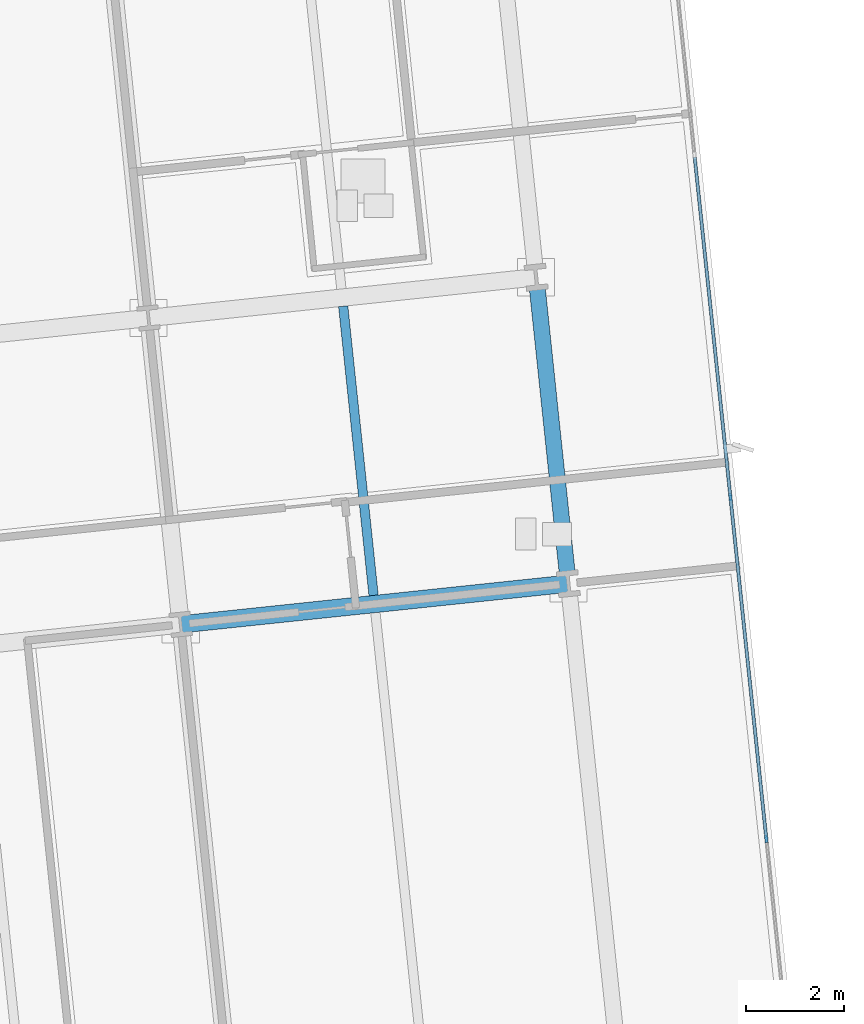
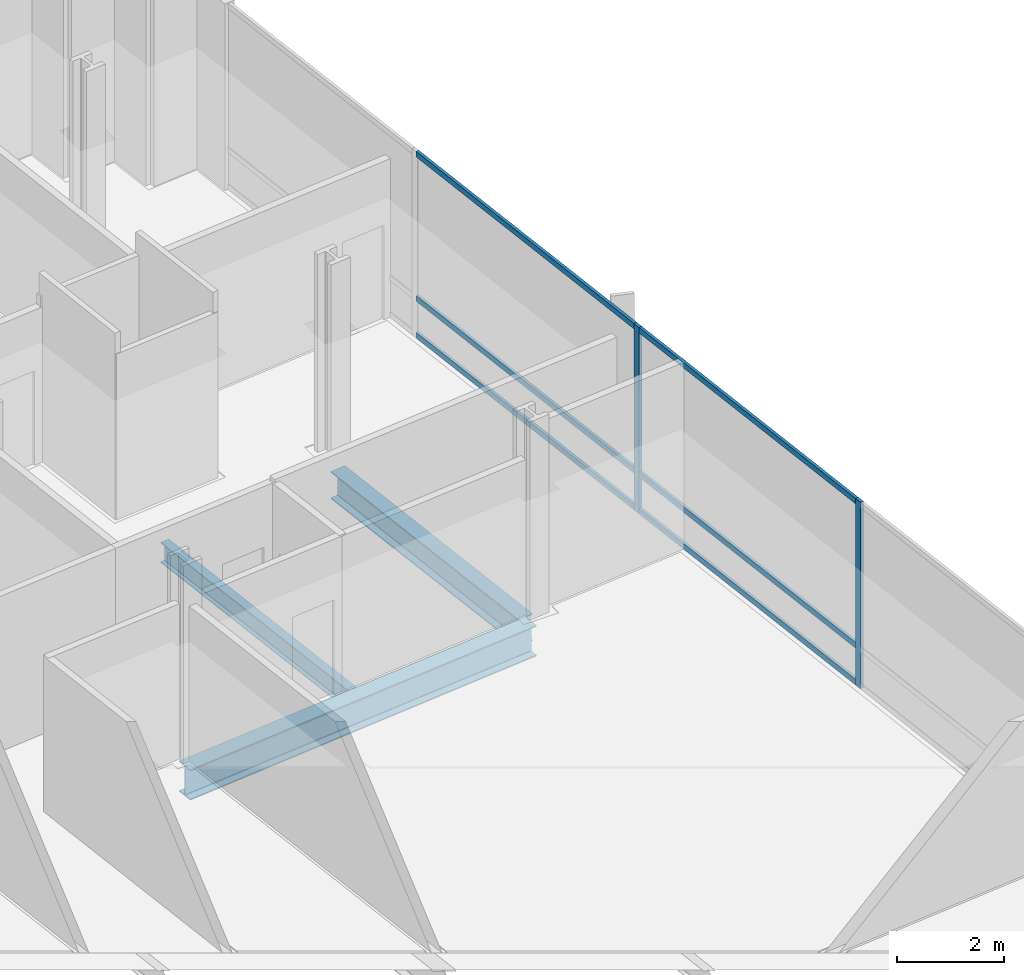
# One storey, part 8 of 20: 8 members, 3 beams, 1 element without a shape of its own.
"""IFC4 building model written with IfcOpenShell, lengths in metres."""

from ifc_helpers import new_model, si_unit, direction, frame, origin, origin_2d, place, context, subcontext, project, spatial, rectangle, i_section, extrude, material, material_profile, profile_set, type_object, element, aggregate, save


model = new_model("IFC4")

# Units and contexts
model_context = context("Model", 3, precision=1e-05, world=origin(), true_north=direction((0.0, 1.0)))
body_context = subcontext(model_context, "Body", "Model", "MODEL_VIEW")
ifc_project = project(units=[si_unit("LENGTHUNIT", "METRE"), si_unit("AREAUNIT", "SQUARE_METRE"), si_unit("VOLUMEUNIT", "CUBIC_METRE"), si_unit("PLANEANGLEUNIT", "RADIAN"), si_unit("MASSUNIT", "GRAM", prefix="KILO")], contexts=[model_context])

# Site, building, storey
site_placement = place(None, origin())
site = spatial("IfcSite", under=ifc_project, at=site_placement, CompositionType="ELEMENT")
building_placement = place(site_placement, origin())
building = spatial("IfcBuilding", under=site, at=building_placement, Name="Solmavex Isthmus Hotel", CompositionType="ELEMENT")
storey_placement = place(building_placement, frame((0.0, 0.0, 97.35009765625)))
storey = spatial("IfcBuildingStorey", under=building, at=storey_placement, Name="L26", CompositionType="ELEMENT", Elevation=97.35009765625)

# Beams
ifc_material_1 = material(Name="Steel ASTM A992 Grade 50", Category="steel")
ifc_material_profile_1 = material_profile(ifc_material_1, i_section(OverallWidth=0.354736328125, OverallDepth=0.695556640625, WebThickness=0.015380859375, FlangeThickness=0.02490234375, FilletRadius=0.017822265625, at=origin_2d()), Name="W27X146")
ifc_profile_set_1 = profile_set([ifc_material_profile_1], Name="Steel ASTM A992 Grade 50")
beam_type_1 = type_object("IfcBeamType", Name="BM-BG-W27X146", PredefinedType="BEAM", material=ifc_profile_set_1)
beam_1_placement = place(storey_placement, frame((21.2197265625, 5.658447265625, -0.60791015625), z_axis=(0.994523402738, 0.104514120609, 0.0), x_axis=(-0.104514120609, 0.994523402738, 0.0)))
element("IfcBeam", 1, at=beam_1_placement, inside=storey, type_object=beam_type_1, Name="Floor Girder L26-UG12", PredefinedType="BEAM", context=body_context, shape_type="SweptSolid", body=[
    extrude(i_section(OverallWidth=0.354736328125, OverallDepth=0.695556640625, WebThickness=0.015380859375, FlangeThickness=0.02490234375, FilletRadius=0.017822265625, at=origin_2d()), origin(), (0.0, 0.0, 1.0), 7.968017578125),
])
ifc_material_profile_2 = material_profile(ifc_material_1, i_section(OverallWidth=0.1904296875, OverallDepth=0.456787109375, WebThickness=0.009033203125, FlangeThickness=0.014404296875, FilletRadius=0.0126953125, at=origin_2d()), Name="W18X50")
ifc_profile_set_2 = profile_set([ifc_material_profile_2], Name="Steel ASTM A992 Grade 50")
beam_type_2 = type_object("IfcBeamType", Name="BM-BJ-W18X50", PredefinedType="JOIST", material=ifc_profile_set_2)
beam_2_placement = place(storey_placement, frame((25.163330078125, 6.251220703125, -0.488525390625), z_axis=(-0.104505160346, 0.994524344328, 0.0), x_axis=(-0.994524344328, -0.104505160346, 0.0)))
element("IfcBeam", 2, at=beam_2_placement, inside=storey, type_object=beam_type_2, Name="Secondary Floor Joist L26-J20", PredefinedType="JOIST", context=body_context, shape_type="SweptSolid", body=[
    extrude(i_section(OverallWidth=0.1904296875, OverallDepth=0.456787109375, WebThickness=0.009033203125, FlangeThickness=0.014404296875, FilletRadius=0.0126953125, at=origin_2d()), origin(), (0.0, 0.0, 1.0), 5.943115234375),
])
ifc_material_profile_3 = material_profile(ifc_material_1, i_section(OverallWidth=0.326416015625, OverallDepth=0.621826171875, WebThickness=0.015380859375, FlangeThickness=0.0244140625, FilletRadius=0.01513671875, at=origin_2d()), Name="W24X131")
ifc_profile_set_3 = profile_set([ifc_material_profile_3], Name="Steel ASTM A992 Grade 50")
beam_type_3 = type_object("IfcBeamType", Name="BM-SP-W24X131", PredefinedType="SPANDREL", material=ifc_profile_set_3)
beam_3_placement = place(storey_placement, frame((29.12548828125, 6.667724609375, -0.571044921875), z_axis=(-0.104505160346, 0.994524344328, 0.0), x_axis=(-0.994524344328, -0.104505160346, 0.0)))
element("IfcBeam", 3, at=beam_3_placement, inside=storey, type_object=beam_type_3, Name="Floor Beam L26-VG47", PredefinedType="SPANDREL", context=body_context, shape_type="SweptSolid", body=[
    extrude(i_section(OverallWidth=0.326416015625, OverallDepth=0.621826171875, WebThickness=0.015380859375, FlangeThickness=0.0244140625, FilletRadius=0.01513671875, at=origin_2d()), origin(), (0.0, 0.0, 1.0), 5.943115234375),
])

# Curtain wall, members
ifc_material_2 = material(Name="Aluminium alloy 6063-T6", Category="aluminium")
curtain_wall_type = type_object("IfcCurtainWallType", Name="CW-SYS-05", PredefinedType="NOTDEFINED", material=ifc_material_2)
curtain_wall_placement = place(storey_placement, origin())
curtain_wall = element("IfcCurtainWall", 4, at=curtain_wall_placement, inside=storey, type_object=curtain_wall_type, Name="Stick Curtain Wall CWL-L26-E1", PredefinedType="NOTDEFINED")
ifc_material_profile_4 = material_profile(ifc_material_2, rectangle(XDim=0.06494140625, YDim=0.159912109375, at=origin_2d()), Name="CWM-65X160")
ifc_profile_set_4 = profile_set([ifc_material_profile_4], Name="Aluminium alloy 6063-T6")
member_type_1 = type_object("IfcMemberType", Name="CW-SYS-05-MUL", PredefinedType="MULLION", material=ifc_profile_set_4)
member_1_placement = place(storey_placement, frame((33.19140625, 1.275634765625, 0.0), z_axis=(0.0, 0.0, 1.0), x_axis=(-0.994521893044, -0.104528485381, 0.0)))
member_1 = element("IfcMember", 5, at=member_1_placement, type_object=member_type_1, Name="CW-05 mullion 3", PredefinedType="MULLION", context=body_context, shape_type="SweptSolid", body=[
    extrude(rectangle(XDim=0.06494140625, YDim=0.159912109375, at=origin_2d()), origin(), (0.0, 0.0, 1.0), 4.239990234375),
])
member_2_placement = place(storey_placement, frame((32.45751953125, 8.25732421875, 0.0), z_axis=(0.0, 0.0, 1.0), x_axis=(-0.994521893044, -0.104528485381, 0.0)))
member_2 = element("IfcMember", 6, at=member_2_placement, type_object=member_type_1, Name="CW-05 mullion 4", PredefinedType="MULLION", context=body_context, shape_type="SweptSolid", body=[
    extrude(rectangle(XDim=0.06494140625, YDim=0.159912109375, at=origin_2d()), origin(), (0.0, 0.0, 1.0), 4.239990234375),
])
ifc_material_profile_5 = material_profile(ifc_material_2, rectangle(XDim=0.06494140625, YDim=0.125, at=origin_2d()), Name="CWT-65X125")
ifc_profile_set_5 = profile_set([ifc_material_profile_5], Name="Aluminium alloy 6063-T6")
member_type_2 = type_object("IfcMemberType", Name="CW-SYS-05-TRN", PredefinedType="USERDEFINED", material=ifc_profile_set_5)
member_3_placement = place(storey_placement, frame((33.18798828125, 1.30810546875, 0.0625), z_axis=(-0.104538598424, 0.994520830068, 0.0), x_axis=(-0.994520830068, -0.104538598424, 0.0)))
member_3 = element("IfcMember", 7, at=member_3_placement, type_object=member_type_2, Name="CW-05 transom 3.1", ObjectType="TRANSOM", PredefinedType="USERDEFINED", context=body_context, shape_type="SweptSolid", body=[
    extrude(rectangle(XDim=0.06494140625, YDim=0.125, at=origin_2d()), origin(), (0.0, 0.0, 1.0), 6.954833984375),
])
member_4_placement = place(storey_placement, frame((33.18798828125, 1.30810546875, 0.89990234375), z_axis=(-0.104538598424, 0.994520830068, 0.0), x_axis=(-0.994520830068, -0.104538598424, 0.0)))
member_4 = element("IfcMember", 8, at=member_4_placement, type_object=member_type_2, Name="CW-05 transom 3.2", ObjectType="TRANSOM", PredefinedType="USERDEFINED", context=body_context, shape_type="SweptSolid", body=[
    extrude(rectangle(XDim=0.06494140625, YDim=0.125, at=origin_2d()), origin(), (0.0, 0.0, 1.0), 6.954833984375),
])
member_5_placement = place(storey_placement, frame((33.18798828125, 1.30810546875, 4.177490234375), z_axis=(-0.104538598424, 0.994520830068, 0.0), x_axis=(-0.994520830068, -0.104538598424, 0.0)))
member_5 = element("IfcMember", 9, at=member_5_placement, type_object=member_type_2, Name="CW-05 transom 3.3", ObjectType="TRANSOM", PredefinedType="USERDEFINED", context=body_context, shape_type="SweptSolid", body=[
    extrude(rectangle(XDim=0.06494140625, YDim=0.125, at=origin_2d()), origin(), (0.0, 0.0, 1.0), 6.954833984375),
])
member_6_placement = place(storey_placement, frame((32.454345703125, 8.28955078125, 0.0625), z_axis=(-0.104534948973, 0.994521213672, 0.0), x_axis=(-0.994521213672, -0.104534948973, 0.0)))
member_6 = element("IfcMember", 10, at=member_6_placement, type_object=member_type_2, Name="CW-05 transom 4.1", ObjectType="TRANSOM", PredefinedType="USERDEFINED", context=body_context, shape_type="SweptSolid", body=[
    extrude(rectangle(XDim=0.06494140625, YDim=0.125, at=origin_2d()), origin(), (0.0, 0.0, 1.0), 6.955078125),
])
member_7_placement = place(storey_placement, frame((32.454345703125, 8.28955078125, 0.89990234375), z_axis=(-0.104534948973, 0.994521213672, 0.0), x_axis=(-0.994521213672, -0.104534948973, 0.0)))
member_7 = element("IfcMember", 11, at=member_7_placement, type_object=member_type_2, Name="CW-05 transom 4.2", ObjectType="TRANSOM", PredefinedType="USERDEFINED", context=body_context, shape_type="SweptSolid", body=[
    extrude(rectangle(XDim=0.06494140625, YDim=0.125, at=origin_2d()), origin(), (0.0, 0.0, 1.0), 6.955078125),
])
member_8_placement = place(storey_placement, frame((32.454345703125, 8.28955078125, 4.177490234375), z_axis=(-0.104534948973, 0.994521213672, 0.0), x_axis=(-0.994521213672, -0.104534948973, 0.0)))
member_8 = element("IfcMember", 12, at=member_8_placement, type_object=member_type_2, Name="CW-05 transom 4.3", ObjectType="TRANSOM", PredefinedType="USERDEFINED", context=body_context, shape_type="SweptSolid", body=[
    extrude(rectangle(XDim=0.06494140625, YDim=0.125, at=origin_2d()), origin(), (0.0, 0.0, 1.0), 6.955078125),
])
aggregate(curtain_wall, [member_1, member_2, member_3, member_4, member_5, member_6, member_7, member_8])

save(model, "model.ifc")
